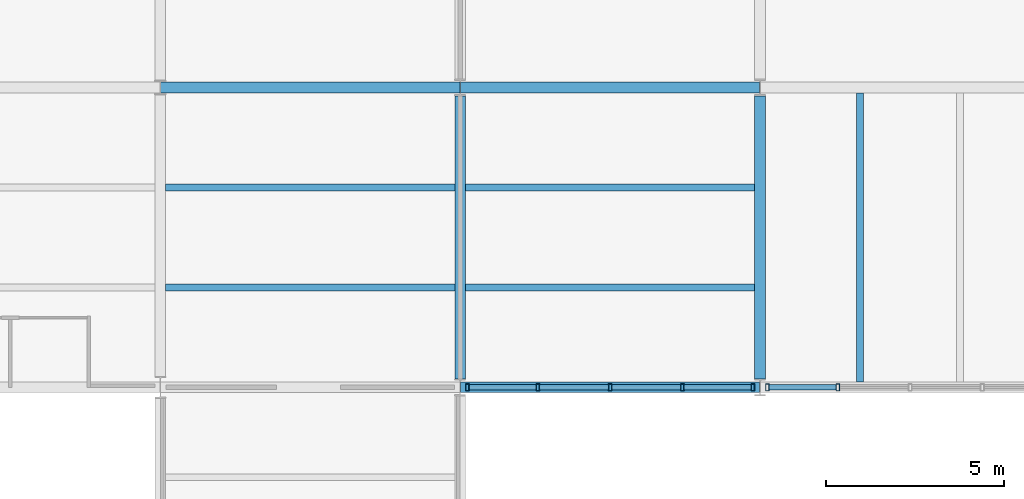
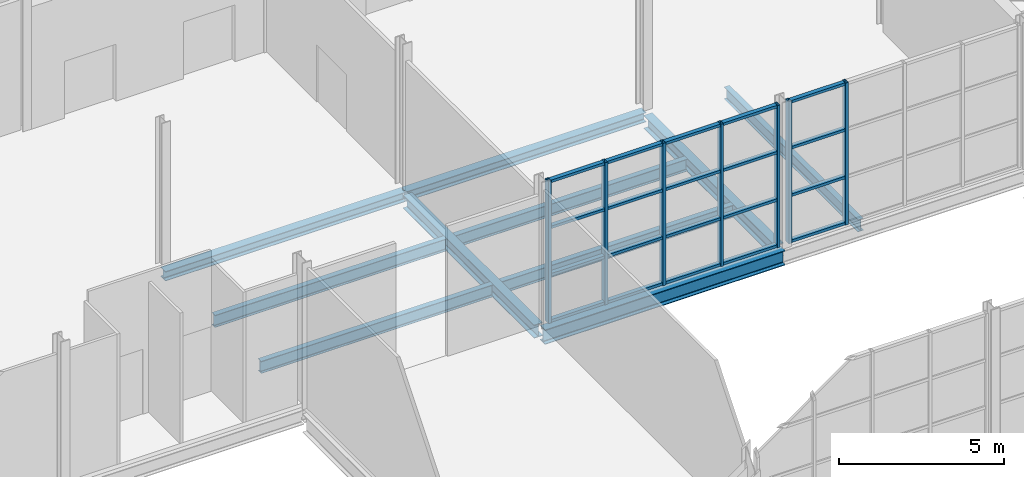
# One storey, part 22 of 57: 27 members, 10 beams, 2 elements without a shape of their own.
"""IFC4 building model written with IfcOpenShell, lengths in metres."""

from ifc_helpers import new_model, si_unit, direction, frame, origin, origin_2d, place, context, subcontext, project, spatial, hollow_rectangle, i_section, extrude, material, layer, layer_set, material_profile, profile_set, type_object, element, aggregate, save


model = new_model("IFC4")

# Units and contexts
model_context = context("Model", 3, precision=1e-05, world=origin(), true_north=direction((0.0, 1.0)))
body_context = subcontext(model_context, "Body", "Model", "MODEL_VIEW")
ifc_project = project(units=[si_unit("LENGTHUNIT", "METRE"), si_unit("AREAUNIT", "SQUARE_METRE"), si_unit("VOLUMEUNIT", "CUBIC_METRE"), si_unit("PLANEANGLEUNIT", "RADIAN"), si_unit("MASSUNIT", "GRAM", prefix="KILO")], contexts=[model_context])

# Site, building, storey
site_placement = place(None, origin())
site = spatial("IfcSite", under=ifc_project, at=site_placement, CompositionType="ELEMENT")
building_placement = place(site_placement, origin())
building = spatial("IfcBuilding", under=site, at=building_placement, Name="Galleria Vessillo Department Store", CompositionType="ELEMENT")
storey_placement = place(building_placement, frame((0.0, 0.0, 25.800048828125)))
storey = spatial("IfcBuildingStorey", under=building, at=storey_placement, Name="L05", CompositionType="ELEMENT", Elevation=25.800048828125)

# Beams
ifc_material_1 = material(Name="Steel S355 J2", Category="steel")
ifc_material_profile_1 = material_profile(ifc_material_1, i_section(OverallWidth=0.300048828125, OverallDepth=0.489990234375, WebThickness=0.011962890625, FlangeThickness=0.02294921875, FilletRadius=0.027099609375, at=origin_2d()), Name="HEA 500")
ifc_profile_set_1 = profile_set([ifc_material_profile_1], Name="Steel S355 J2")
beam_type_1 = type_object("IfcBeamType", Name="Floor girder HEA 500", PredefinedType="BEAM", material=ifc_profile_set_1)
for number, where, z_axis, x_axis, name in (
    (1, (84.0, 38.0390625, -0.39501953125), (0.0, 1.0, 0.0), (-1.0, 0.0, 0.0), "S-BM-L05-GI-y84000-38039"),
    (2, (92.39990234375, 38.0390625, -0.39501953125), (0.0, 1.0, 0.0), (-1.0, 0.0, 0.0), "S-BM-L05-GI-y92400-38039"),
):
    element("IfcBeam", number, at=place(storey_placement, frame(where, z_axis=z_axis, x_axis=x_axis)), inside=storey, type_object=beam_type_1, Name=name, PredefinedType="BEAM", context=body_context, shape_type="SweptSolid", body=[
        extrude(i_section(OverallWidth=0.300048828125, OverallDepth=0.489990234375, WebThickness=0.011962890625, FlangeThickness=0.02294921875, FilletRadius=0.027099609375, at=origin_2d()), origin(), (0.0, 0.0, 1.0), 7.921875),
    ])
ifc_material_2 = material(Name="Steel S355 J2", Category="steel")
ifc_material_profile_2 = material_profile(ifc_material_2, i_section(OverallWidth=0.18994140625, OverallDepth=0.449951171875, WebThickness=0.009521484375, FlangeThickness=0.0146484375, FilletRadius=0.02099609375, at=origin_2d()), Name="IPE 450")
ifc_profile_set_2 = profile_set([ifc_material_profile_2], Name="Steel S355 J2")
beam_type_2 = type_object("IfcBeamType", Name="Floor joist IPE 450", PredefinedType="JOIST", material=ifc_profile_set_2)
for number, where, z_axis, x_axis, name in (
    (3, (75.750244140625, 40.60009765625, -0.375), (1.0, 0.0, 0.0), (0.0, 1.0, 0.0), "S-BM-L05-JO-x40600-75750"),
    (4, (75.750244140625, 43.39990234375, -0.375), (1.0, 0.0, 0.0), (0.0, 1.0, 0.0), "S-BM-L05-JO-x43400-75750"),
    (5, (84.150146484375, 40.60009765625, -0.375), (1.0, 0.0, 0.0), (0.0, 1.0, 0.0), "S-BM-L05-JO-x40600-84150"),
    (6, (84.150146484375, 43.39990234375, -0.375), (1.0, 0.0, 0.0), (0.0, 1.0, 0.0), "S-BM-L05-JO-x43400-84150"),
    (7, (95.199951171875, 37.9501953125, -0.375), (0.0, 1.0, 0.0), (-1.0, 0.0, 0.0), "S-BM-L05-JO-y95200-37950"),
):
    element("IfcBeam", number, at=place(storey_placement, frame(where, z_axis=z_axis, x_axis=x_axis)), inside=storey, type_object=beam_type_2, Name=name, PredefinedType="JOIST", context=body_context, shape_type="SweptSolid", body=[
        extrude(i_section(OverallWidth=0.18994140625, OverallDepth=0.449951171875, WebThickness=0.009521484375, FlangeThickness=0.0146484375, FilletRadius=0.02099609375, at=origin_2d()), origin(), (0.0, 0.0, 1.0), 8.099609375),
    ])
ifc_material_3 = material(Name="Steel S355 J2", Category="steel")
ifc_material_profile_3 = material_profile(ifc_material_3, i_section(OverallWidth=0.300048828125, OverallDepth=0.35009765625, WebThickness=0.010009765625, FlangeThickness=0.017578125, FilletRadius=0.027099609375, at=origin_2d()), Name="HEA 360")
ifc_profile_set_3 = profile_set([ifc_material_profile_3], Name="Steel S355 J2")
beam_type_3 = type_object("IfcBeamType", Name="Floor tie girder HEA 360", PredefinedType="BEAM", material=ifc_profile_set_3)
beam_1_placement = place(storey_placement, frame((75.60693359375, 46.199951171875, -0.324951171875), z_axis=(1.0, 0.0, 0.0), x_axis=(0.0, 1.0, 0.0)))
element("IfcBeam", 8, at=beam_1_placement, inside=storey, type_object=beam_type_3, Name="S-BM-L05-TI-x46200-75607", PredefinedType="BEAM", context=body_context, shape_type="SweptSolid", body=[
    extrude(i_section(OverallWidth=0.300048828125, OverallDepth=0.35009765625, WebThickness=0.010009765625, FlangeThickness=0.017578125, FilletRadius=0.027099609375, at=origin_2d()), origin(), (0.0, 0.0, 1.0), 8.38232421875),
])
beam_2_placement = place(storey_placement, frame((84.0107421875, 46.199951171875, -0.324951171875), z_axis=(1.0, 0.0, 0.0), x_axis=(0.0, 1.0, 0.0)))
element("IfcBeam", 9, at=beam_2_placement, inside=storey, type_object=beam_type_3, Name="S-BM-L05-TI-x46200-84011", PredefinedType="BEAM", context=body_context, shape_type="SweptSolid", body=[
    extrude(i_section(OverallWidth=0.300048828125, OverallDepth=0.35009765625, WebThickness=0.010009765625, FlangeThickness=0.017578125, FilletRadius=0.027099609375, at=origin_2d()), origin(), (0.0, 0.0, 1.0), 8.378662109375),
])

# Curtain wall, members
ifc_material_4 = material(Name="Steel and fire-resisting glass curtain wall", Category="steel")
ifc_layer = layer(ifc_material_4, 0.199951171875)
ifc_layer_set = layer_set([ifc_layer], Name="Steel and fire-resisting glass curtain wall")
curtain_wall_type = type_object("IfcCurtainWallType", Name="Arcade fire-resisting glazed shopfront EI 120-Sa", PredefinedType="NOTDEFINED", material=ifc_layer_set)
curtain_wall_1_placement = place(storey_placement, origin())
curtain_wall_1 = element("IfcCurtainWall", 10, at=curtain_wall_1_placement, inside=storey, type_object=curtain_wall_type, Name="Arcade fire-resisting glazed shopfront EI 120-Sa AI-AE-N-L05-01", PredefinedType="NOTDEFINED")
ifc_material_5 = material(Name="Steel S355 J2", Category="steel")
ifc_material_profile_4 = material_profile(ifc_material_5, hollow_rectangle(XDim=0.199951171875, YDim=0.10009765625, WallThickness=0.008056640625, at=origin_2d()), Name="RHS 200x100x8")
ifc_profile_set_4 = profile_set([ifc_material_profile_4], Name="Steel S355 J2")
member_type_1 = type_object("IfcMemberType", Name="Steel mullion RHS 200x100x8", PredefinedType="MULLION", material=ifc_profile_set_4)
member_1_placement = place(storey_placement, frame((84.20361328125, 37.800048828125, 0.0), z_axis=(0.0, 0.0, 1.0), x_axis=(0.0, 1.0, 0.0)))
member_1 = element("IfcMember", 11, at=member_1_placement, type_object=member_type_1, Name="CW7 mullion 1", PredefinedType="MULLION", context=body_context, shape_type="SweptSolid", body=[
    extrude(hollow_rectangle(XDim=0.199951171875, YDim=0.10009765625, WallThickness=0.008056640625, at=origin_2d()), origin(), (0.0, 0.0, 1.0), 5.25),
])
member_2_placement = place(storey_placement, frame((86.1767578125, 37.800048828125, 0.0), z_axis=(0.0, 0.0, 1.0), x_axis=(0.0, 1.0, 0.0)))
member_2 = element("IfcMember", 12, at=member_2_placement, type_object=member_type_1, Name="CW7 mullion 2", PredefinedType="MULLION", context=body_context, shape_type="SweptSolid", body=[
    extrude(hollow_rectangle(XDim=0.199951171875, YDim=0.10009765625, WallThickness=0.008056640625, at=origin_2d()), origin(), (0.0, 0.0, 1.0), 5.25),
])
member_3_placement = place(storey_placement, frame((88.199951171875, 37.800048828125, 0.0), z_axis=(0.0, 0.0, 1.0), x_axis=(0.0, 1.0, 0.0)))
member_3 = element("IfcMember", 13, at=member_3_placement, type_object=member_type_1, Name="CW7 mullion 3", PredefinedType="MULLION", context=body_context, shape_type="SweptSolid", body=[
    extrude(hollow_rectangle(XDim=0.199951171875, YDim=0.10009765625, WallThickness=0.008056640625, at=origin_2d()), origin(), (0.0, 0.0, 1.0), 5.25),
])
member_4_placement = place(storey_placement, frame((90.22314453125, 37.800048828125, 0.0), z_axis=(0.0, 0.0, 1.0), x_axis=(0.0, 1.0, 0.0)))
member_4 = element("IfcMember", 14, at=member_4_placement, type_object=member_type_1, Name="CW7 mullion 4", PredefinedType="MULLION", context=body_context, shape_type="SweptSolid", body=[
    extrude(hollow_rectangle(XDim=0.199951171875, YDim=0.10009765625, WallThickness=0.008056640625, at=origin_2d()), origin(), (0.0, 0.0, 1.0), 5.25),
])
member_5_placement = place(storey_placement, frame((92.1962890625, 37.800048828125, 0.0), z_axis=(0.0, 0.0, 1.0), x_axis=(0.0, 1.0, 0.0)))
member_5 = element("IfcMember", 15, at=member_5_placement, type_object=member_type_1, Name="CW7 mullion 5", PredefinedType="MULLION", context=body_context, shape_type="SweptSolid", body=[
    extrude(hollow_rectangle(XDim=0.199951171875, YDim=0.10009765625, WallThickness=0.008056640625, at=origin_2d()), origin(), (0.0, 0.0, 1.0), 5.25),
])

curtain_wall_2_placement = place(storey_placement, origin())
curtain_wall_2 = element("IfcCurtainWall", 16, at=curtain_wall_2_placement, inside=storey, type_object=curtain_wall_type, Name="Arcade fire-resisting glazed shopfront EI 120-Sa AI-AE-N-L05-02", PredefinedType="NOTDEFINED")
member_6_placement = place(storey_placement, frame((92.603515625, 37.800048828125, 0.0), z_axis=(0.0, 0.0, 1.0), x_axis=(0.0, 1.0, 0.0)))
member_6 = element("IfcMember", 17, at=member_6_placement, type_object=member_type_1, Name="CW7 mullion 1", PredefinedType="MULLION", context=body_context, shape_type="SweptSolid", body=[
    extrude(hollow_rectangle(XDim=0.199951171875, YDim=0.10009765625, WallThickness=0.008056640625, at=origin_2d()), origin(), (0.0, 0.0, 1.0), 5.25),
])
member_7_placement = place(storey_placement, frame((94.57666015625, 37.800048828125, 0.0), z_axis=(0.0, 0.0, 1.0), x_axis=(0.0, 1.0, 0.0)))
member_7 = element("IfcMember", 18, at=member_7_placement, type_object=member_type_1, Name="CW7 mullion 2", PredefinedType="MULLION", context=body_context, shape_type="SweptSolid", body=[
    extrude(hollow_rectangle(XDim=0.199951171875, YDim=0.10009765625, WallThickness=0.008056640625, at=origin_2d()), origin(), (0.0, 0.0, 1.0), 5.25),
])

# Member
ifc_material_6 = material(Name="Steel S355 J2", Category="steel")
ifc_material_profile_5 = material_profile(ifc_material_6, hollow_rectangle(XDim=0.14990234375, YDim=0.10009765625, WallThickness=0.008056640625, at=origin_2d()), Name="RHS 150x100x8")
ifc_profile_set_5 = profile_set([ifc_material_profile_5], Name="Steel S355 J2")
member_type_2 = type_object("IfcMemberType", Name="Steel transom RHS 150x100x8", PredefinedType="USERDEFINED", material=ifc_profile_set_5)
member_8_placement = place(storey_placement, frame((84.253662109375, 37.800048828125, 0.050048828125), z_axis=(1.0, 0.0, 0.0), x_axis=(0.0, 1.0, 0.0)))
member_8 = element("IfcMember", 19, at=member_8_placement, type_object=member_type_2, Name="CW7 transom 1.1", ObjectType="TRANSOM", PredefinedType="USERDEFINED", context=body_context, shape_type="SweptSolid", body=[
    extrude(hollow_rectangle(XDim=0.14990234375, YDim=0.10009765625, WallThickness=0.008056640625, at=origin_2d()), origin(), (0.0, 0.0, 1.0), 1.873046875),
])

member_9_placement = place(storey_placement, frame((84.253662109375, 37.800048828125, 1.75), z_axis=(1.0, 0.0, 0.0), x_axis=(0.0, 1.0, 0.0)))
member_9 = element("IfcMember", 20, at=member_9_placement, type_object=member_type_2, Name="CW7 transom 1.2", ObjectType="TRANSOM", PredefinedType="USERDEFINED", context=body_context, shape_type="SweptSolid", body=[
    extrude(hollow_rectangle(XDim=0.14990234375, YDim=0.10009765625, WallThickness=0.008056640625, at=origin_2d()), origin(), (0.0, 0.0, 1.0), 1.873046875),
])

member_10_placement = place(storey_placement, frame((84.253662109375, 37.800048828125, 3.5), z_axis=(1.0, 0.0, 0.0), x_axis=(0.0, 1.0, 0.0)))
member_10 = element("IfcMember", 21, at=member_10_placement, type_object=member_type_2, Name="CW7 transom 1.3", ObjectType="TRANSOM", PredefinedType="USERDEFINED", context=body_context, shape_type="SweptSolid", body=[
    extrude(hollow_rectangle(XDim=0.14990234375, YDim=0.10009765625, WallThickness=0.008056640625, at=origin_2d()), origin(), (0.0, 0.0, 1.0), 1.873046875),
])

member_11_placement = place(storey_placement, frame((84.253662109375, 37.800048828125, 5.199951171875), z_axis=(1.0, 0.0, 0.0), x_axis=(0.0, 1.0, 0.0)))
member_11 = element("IfcMember", 22, at=member_11_placement, type_object=member_type_2, Name="CW7 transom 1.4", ObjectType="TRANSOM", PredefinedType="USERDEFINED", context=body_context, shape_type="SweptSolid", body=[
    extrude(hollow_rectangle(XDim=0.14990234375, YDim=0.10009765625, WallThickness=0.008056640625, at=origin_2d()), origin(), (0.0, 0.0, 1.0), 1.873046875),
])

member_12_placement = place(storey_placement, frame((86.226806640625, 37.800048828125, 0.050048828125), z_axis=(1.0, 0.0, 0.0), x_axis=(0.0, 1.0, 0.0)))
member_12 = element("IfcMember", 23, at=member_12_placement, type_object=member_type_2, Name="CW7 transom 2.1", ObjectType="TRANSOM", PredefinedType="USERDEFINED", context=body_context, shape_type="SweptSolid", body=[
    extrude(hollow_rectangle(XDim=0.14990234375, YDim=0.10009765625, WallThickness=0.008056640625, at=origin_2d()), origin(), (0.0, 0.0, 1.0), 1.923095703125),
])

member_13_placement = place(storey_placement, frame((86.226806640625, 37.800048828125, 1.75), z_axis=(1.0, 0.0, 0.0), x_axis=(0.0, 1.0, 0.0)))
member_13 = element("IfcMember", 24, at=member_13_placement, type_object=member_type_2, Name="CW7 transom 2.2", ObjectType="TRANSOM", PredefinedType="USERDEFINED", context=body_context, shape_type="SweptSolid", body=[
    extrude(hollow_rectangle(XDim=0.14990234375, YDim=0.10009765625, WallThickness=0.008056640625, at=origin_2d()), origin(), (0.0, 0.0, 1.0), 1.923095703125),
])

member_14_placement = place(storey_placement, frame((86.226806640625, 37.800048828125, 3.5), z_axis=(1.0, 0.0, 0.0), x_axis=(0.0, 1.0, 0.0)))
member_14 = element("IfcMember", 25, at=member_14_placement, type_object=member_type_2, Name="CW7 transom 2.3", ObjectType="TRANSOM", PredefinedType="USERDEFINED", context=body_context, shape_type="SweptSolid", body=[
    extrude(hollow_rectangle(XDim=0.14990234375, YDim=0.10009765625, WallThickness=0.008056640625, at=origin_2d()), origin(), (0.0, 0.0, 1.0), 1.923095703125),
])

member_15_placement = place(storey_placement, frame((86.226806640625, 37.800048828125, 5.199951171875), z_axis=(1.0, 0.0, 0.0), x_axis=(0.0, 1.0, 0.0)))
member_15 = element("IfcMember", 26, at=member_15_placement, type_object=member_type_2, Name="CW7 transom 2.4", ObjectType="TRANSOM", PredefinedType="USERDEFINED", context=body_context, shape_type="SweptSolid", body=[
    extrude(hollow_rectangle(XDim=0.14990234375, YDim=0.10009765625, WallThickness=0.008056640625, at=origin_2d()), origin(), (0.0, 0.0, 1.0), 1.923095703125),
])

member_16_placement = place(storey_placement, frame((88.25, 37.800048828125, 0.050048828125), z_axis=(1.0, 0.0, 0.0), x_axis=(0.0, 1.0, 0.0)))
member_16 = element("IfcMember", 27, at=member_16_placement, type_object=member_type_2, Name="CW7 transom 3.1", ObjectType="TRANSOM", PredefinedType="USERDEFINED", context=body_context, shape_type="SweptSolid", body=[
    extrude(hollow_rectangle(XDim=0.14990234375, YDim=0.10009765625, WallThickness=0.008056640625, at=origin_2d()), origin(), (0.0, 0.0, 1.0), 1.923095703125),
])

member_17_placement = place(storey_placement, frame((88.25, 37.800048828125, 1.75), z_axis=(1.0, 0.0, 0.0), x_axis=(0.0, 1.0, 0.0)))
member_17 = element("IfcMember", 28, at=member_17_placement, type_object=member_type_2, Name="CW7 transom 3.2", ObjectType="TRANSOM", PredefinedType="USERDEFINED", context=body_context, shape_type="SweptSolid", body=[
    extrude(hollow_rectangle(XDim=0.14990234375, YDim=0.10009765625, WallThickness=0.008056640625, at=origin_2d()), origin(), (0.0, 0.0, 1.0), 1.923095703125),
])

member_18_placement = place(storey_placement, frame((88.25, 37.800048828125, 3.5), z_axis=(1.0, 0.0, 0.0), x_axis=(0.0, 1.0, 0.0)))
member_18 = element("IfcMember", 29, at=member_18_placement, type_object=member_type_2, Name="CW7 transom 3.3", ObjectType="TRANSOM", PredefinedType="USERDEFINED", context=body_context, shape_type="SweptSolid", body=[
    extrude(hollow_rectangle(XDim=0.14990234375, YDim=0.10009765625, WallThickness=0.008056640625, at=origin_2d()), origin(), (0.0, 0.0, 1.0), 1.923095703125),
])

member_19_placement = place(storey_placement, frame((88.25, 37.800048828125, 5.199951171875), z_axis=(1.0, 0.0, 0.0), x_axis=(0.0, 1.0, 0.0)))
member_19 = element("IfcMember", 30, at=member_19_placement, type_object=member_type_2, Name="CW7 transom 3.4", ObjectType="TRANSOM", PredefinedType="USERDEFINED", context=body_context, shape_type="SweptSolid", body=[
    extrude(hollow_rectangle(XDim=0.14990234375, YDim=0.10009765625, WallThickness=0.008056640625, at=origin_2d()), origin(), (0.0, 0.0, 1.0), 1.923095703125),
])

member_20_placement = place(storey_placement, frame((90.273193359375, 37.800048828125, 0.050048828125), z_axis=(1.0, 0.0, 0.0), x_axis=(0.0, 1.0, 0.0)))
member_20 = element("IfcMember", 31, at=member_20_placement, type_object=member_type_2, Name="CW7 transom 4.1", ObjectType="TRANSOM", PredefinedType="USERDEFINED", context=body_context, shape_type="SweptSolid", body=[
    extrude(hollow_rectangle(XDim=0.14990234375, YDim=0.10009765625, WallThickness=0.008056640625, at=origin_2d()), origin(), (0.0, 0.0, 1.0), 1.873046875),
])

member_21_placement = place(storey_placement, frame((90.273193359375, 37.800048828125, 1.75), z_axis=(1.0, 0.0, 0.0), x_axis=(0.0, 1.0, 0.0)))
member_21 = element("IfcMember", 32, at=member_21_placement, type_object=member_type_2, Name="CW7 transom 4.2", ObjectType="TRANSOM", PredefinedType="USERDEFINED", context=body_context, shape_type="SweptSolid", body=[
    extrude(hollow_rectangle(XDim=0.14990234375, YDim=0.10009765625, WallThickness=0.008056640625, at=origin_2d()), origin(), (0.0, 0.0, 1.0), 1.873046875),
])

member_22_placement = place(storey_placement, frame((90.273193359375, 37.800048828125, 3.5), z_axis=(1.0, 0.0, 0.0), x_axis=(0.0, 1.0, 0.0)))
member_22 = element("IfcMember", 33, at=member_22_placement, type_object=member_type_2, Name="CW7 transom 4.3", ObjectType="TRANSOM", PredefinedType="USERDEFINED", context=body_context, shape_type="SweptSolid", body=[
    extrude(hollow_rectangle(XDim=0.14990234375, YDim=0.10009765625, WallThickness=0.008056640625, at=origin_2d()), origin(), (0.0, 0.0, 1.0), 1.873046875),
])

member_23_placement = place(storey_placement, frame((90.273193359375, 37.800048828125, 5.199951171875), z_axis=(1.0, 0.0, 0.0), x_axis=(0.0, 1.0, 0.0)))
member_23 = element("IfcMember", 34, at=member_23_placement, type_object=member_type_2, Name="CW7 transom 4.4", ObjectType="TRANSOM", PredefinedType="USERDEFINED", context=body_context, shape_type="SweptSolid", body=[
    extrude(hollow_rectangle(XDim=0.14990234375, YDim=0.10009765625, WallThickness=0.008056640625, at=origin_2d()), origin(), (0.0, 0.0, 1.0), 1.873046875),
])

aggregate(curtain_wall_1, [member_1, member_2, member_3, member_4, member_5, member_8, member_9, member_10, member_11, member_12, member_13, member_14, member_15, member_16, member_17, member_18, member_19, member_20, member_21, member_22, member_23])

member_24_placement = place(storey_placement, frame((92.653564453125, 37.800048828125, 0.050048828125), z_axis=(1.0, 0.0, 0.0), x_axis=(0.0, 1.0, 0.0)))
member_24 = element("IfcMember", 35, at=member_24_placement, type_object=member_type_2, Name="CW7 transom 1.1", ObjectType="TRANSOM", PredefinedType="USERDEFINED", context=body_context, shape_type="SweptSolid", body=[
    extrude(hollow_rectangle(XDim=0.14990234375, YDim=0.10009765625, WallThickness=0.008056640625, at=origin_2d()), origin(), (0.0, 0.0, 1.0), 1.873046875),
])

member_25_placement = place(storey_placement, frame((92.653564453125, 37.800048828125, 1.75), z_axis=(1.0, 0.0, 0.0), x_axis=(0.0, 1.0, 0.0)))
member_25 = element("IfcMember", 36, at=member_25_placement, type_object=member_type_2, Name="CW7 transom 1.2", ObjectType="TRANSOM", PredefinedType="USERDEFINED", context=body_context, shape_type="SweptSolid", body=[
    extrude(hollow_rectangle(XDim=0.14990234375, YDim=0.10009765625, WallThickness=0.008056640625, at=origin_2d()), origin(), (0.0, 0.0, 1.0), 1.873046875),
])

member_26_placement = place(storey_placement, frame((92.653564453125, 37.800048828125, 3.5), z_axis=(1.0, 0.0, 0.0), x_axis=(0.0, 1.0, 0.0)))
member_26 = element("IfcMember", 37, at=member_26_placement, type_object=member_type_2, Name="CW7 transom 1.3", ObjectType="TRANSOM", PredefinedType="USERDEFINED", context=body_context, shape_type="SweptSolid", body=[
    extrude(hollow_rectangle(XDim=0.14990234375, YDim=0.10009765625, WallThickness=0.008056640625, at=origin_2d()), origin(), (0.0, 0.0, 1.0), 1.873046875),
])

member_27_placement = place(storey_placement, frame((92.653564453125, 37.800048828125, 5.199951171875), z_axis=(1.0, 0.0, 0.0), x_axis=(0.0, 1.0, 0.0)))
member_27 = element("IfcMember", 38, at=member_27_placement, type_object=member_type_2, Name="CW7 transom 1.4", ObjectType="TRANSOM", PredefinedType="USERDEFINED", context=body_context, shape_type="SweptSolid", body=[
    extrude(hollow_rectangle(XDim=0.14990234375, YDim=0.10009765625, WallThickness=0.008056640625, at=origin_2d()), origin(), (0.0, 0.0, 1.0), 1.873046875),
])

aggregate(curtain_wall_2, [member_6, member_7, member_24, member_25, member_26, member_27])

# Beam
ifc_material_7 = material(Name="Steel S355 J2", Category="steel")
ifc_material_profile_6 = material_profile(ifc_material_7, i_section(OverallWidth=0.300048828125, OverallDepth=0.5400390625, WebThickness=0.012451171875, FlangeThickness=0.02392578125, FilletRadius=0.027099609375, at=origin_2d()), Name="HEA 550")
ifc_profile_set_6 = profile_set([ifc_material_profile_6], Name="Steel S355 J2")
beam_type_4 = type_object("IfcBeamType", Name="Trimmer beam HEA 550", PredefinedType="BEAM", material=ifc_profile_set_6)
beam_3_placement = place(storey_placement, frame((84.0107421875, 37.800048828125, -0.419921875), z_axis=(1.0, 0.0, 0.0), x_axis=(0.0, 1.0, 0.0)))
element("IfcBeam", 39, at=beam_3_placement, inside=storey, type_object=beam_type_4, Name="S-BM-L05-TR-x37800-84011", PredefinedType="BEAM", context=body_context, shape_type="SweptSolid", body=[
    extrude(i_section(OverallWidth=0.300048828125, OverallDepth=0.5400390625, WebThickness=0.012451171875, FlangeThickness=0.02392578125, FilletRadius=0.027099609375, at=origin_2d()), origin(), (0.0, 0.0, 1.0), 8.378662109375),
])

save(model, "model.ifc")
